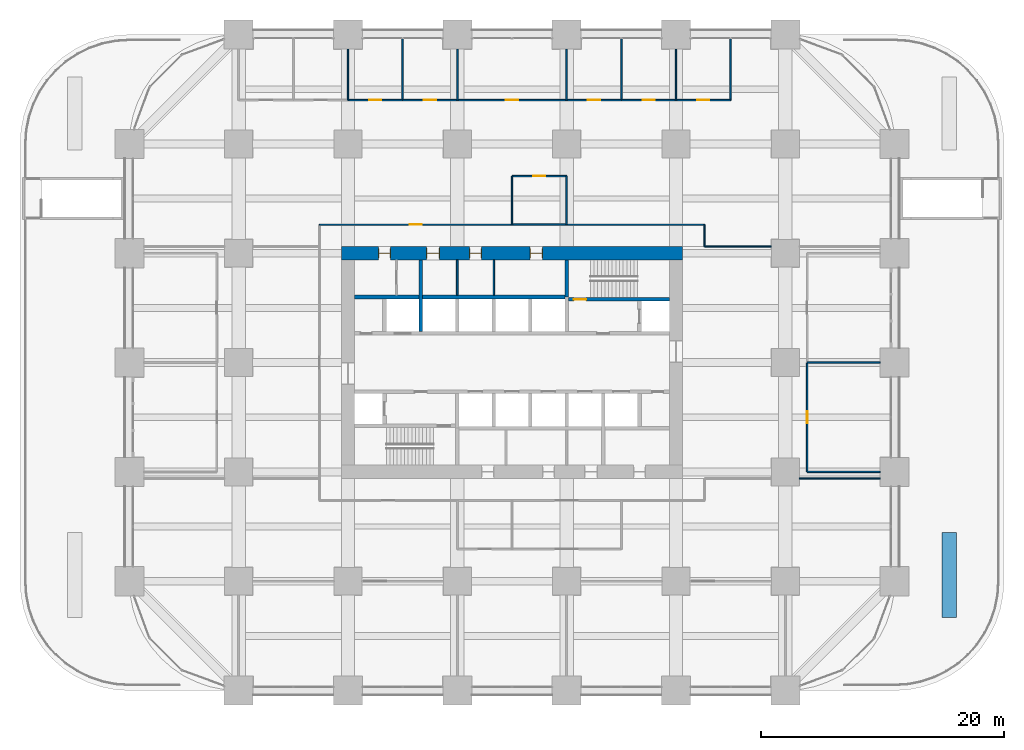
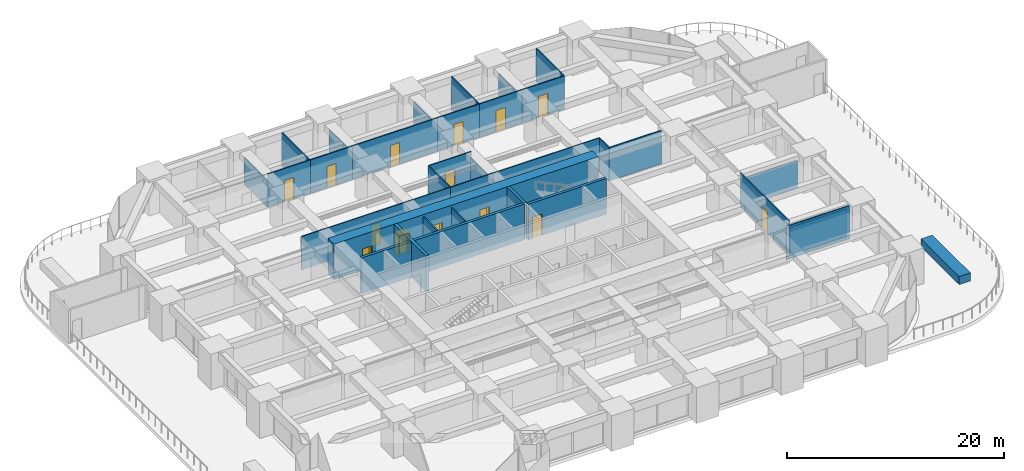
# One storey, part 34 of 38: 33 walls, 14 doors, 14 openings.
"""IFC4 building model written with IfcOpenShell, lengths in metres."""

from ifc_helpers import new_model, si_unit, direction, frame, frame_2d, origin, place, context, subcontext, project, spatial, rectangle, extrude, material, layer, layer_set, type_object, element, fill, save


model = new_model("IFC4")

# Units and contexts
model_context = context("Model", 3, precision=1e-05, world=origin(), true_north=direction((0.0, 1.0)))
body_context = subcontext(model_context, "Body", "Model", "MODEL_VIEW")
ifc_project = project(units=[si_unit("LENGTHUNIT", "METRE"), si_unit("AREAUNIT", "SQUARE_METRE"), si_unit("VOLUMEUNIT", "CUBIC_METRE"), si_unit("PLANEANGLEUNIT", "RADIAN"), si_unit("MASSUNIT", "GRAM", prefix="KILO")], contexts=[model_context])

# Site, building, storey
site_placement = place(None, origin())
site = spatial("IfcSite", under=ifc_project, at=site_placement, CompositionType="ELEMENT")
building_placement = place(site_placement, origin())
building = spatial("IfcBuilding", under=site, at=building_placement, Name="Zorevar Civic Tower", CompositionType="ELEMENT")
storey_placement = place(building_placement, frame((0.0, 0.0, 15.800048828125)))
storey = spatial("IfcBuildingStorey", under=building, at=storey_placement, Name="L03", CompositionType="ELEMENT", Elevation=15.800048828125)

# Wall, openings, doors
ifc_material_1 = material(Name="Concrete C50/60", Category="concrete")
ifc_layer_1 = layer(ifc_material_1, 1.10009765625)
ifc_layer_set_1 = layer_set([ifc_layer_1], Name="Core wall 1100")
wall_type_1 = type_object("IfcWallType", Name="Core wall 1100", PredefinedType="SHEAR", material=ifc_layer_set_1)
wall_1_placement = place(storey_placement, frame((45.550048828125, 36.0, 0.0), z_axis=(0.0, 0.0, 1.0), x_axis=(-1.0, 0.0, 0.0)))
wall_1 = element("IfcWall", 1, at=wall_1_placement, inside=storey, type_object=wall_type_1, Name="Core wall N L03", PredefinedType="SHEAR", context=body_context, shape_type="SweptSolid", body=[
    extrude(rectangle(XDim=28.10009765625, YDim=1.10009765625, at=frame_2d((14.050048828125, 0.0))), origin(), (0.0, 0.0, 1.0), 4.0),
])
opening_1_placement = place(wall_1_placement, frame((11.550048828125, 0.0, 0.0)))
opening_1 = element("IfcOpeningElement", 2, at=opening_1_placement, cuts=wall_1, Name="Opening L03.07", PredefinedType="OPENING", context=body_context, shape_type="SweptSolid", body=[
    extrude(rectangle(XDim=1.0, YDim=2.39990234375, at=frame_2d((0.5, 1.199951171875))), frame((0.0, 0.56005859375, 0.0), z_axis=(0.0, -1.0, 0.0), x_axis=(1.0, 0.0, 0.0)), (0.0, 0.0, 1.0), 1.1201171875),
])
opening_2_placement = place(wall_1_placement, frame((16.550048828125, 0.0, 0.0)))
opening_2 = element("IfcOpeningElement", 3, at=opening_2_placement, cuts=wall_1, Name="Opening L03.08", PredefinedType="OPENING", context=body_context, shape_type="SweptSolid", body=[
    extrude(rectangle(XDim=1.0, YDim=2.39990234375, at=frame_2d((0.5, 1.199951171875))), frame((0.0, 0.56005859375, 0.0), z_axis=(0.0, -1.0, 0.0), x_axis=(1.0, 0.0, 0.0)), (0.0, 0.0, 1.0), 1.1201171875),
])
opening_3_placement = place(wall_1_placement, frame((20.0, 0.0, 0.0)))
opening_3 = element("IfcOpeningElement", 4, at=opening_3_placement, cuts=wall_1, Name="Opening L03.09", PredefinedType="OPENING", context=body_context, shape_type="SweptSolid", body=[
    extrude(rectangle(XDim=1.10009765625, YDim=2.39990234375, at=frame_2d((0.550048828125, 1.199951171875))), frame((0.0, 0.56005859375, 0.0), z_axis=(0.0, -1.0, 0.0), x_axis=(1.0, 0.0, 0.0)), (0.0, 0.0, 1.0), 1.1201171875),
])
opening_4_placement = place(wall_1_placement, frame((24.050048828125, 0.0, 0.0)))
opening_4 = element("IfcOpeningElement", 5, at=opening_4_placement, cuts=wall_1, Name="Opening L03.10", PredefinedType="OPENING", context=body_context, shape_type="SweptSolid", body=[
    extrude(rectangle(XDim=1.0, YDim=2.39990234375, at=frame_2d((0.5, 1.199951171875))), frame((0.0, 0.56005859375, 0.0), z_axis=(0.0, -1.0, 0.0), x_axis=(1.0, 0.0, 0.0)), (0.0, 0.0, 1.0), 1.1201171875),
])
ifc_material_2 = material(Name="Timber door set", Category="wood")
door_type_1 = type_object("IfcDoorType", Name="Door D1 1000x2400", OperationType="SINGLE_SWING_LEFT", PredefinedType="DOOR", material=ifc_material_2)
door_1_placement = place(opening_1_placement, origin())
door_1 = element("IfcDoor", 6, at=door_1_placement, inside=storey, type_object=door_type_1, Name="Door L03 06", OperationType="SINGLE_SWING_RIGHT", OverallHeight=2.39990234375, OverallWidth=1.0, PredefinedType="DOOR", context=body_context, shape_type="SweptSolid", body=[
    extrude(rectangle(XDim=1.0, YDim=2.39990234375, at=frame_2d((0.5, 1.199951171875))), frame((0.0, 0.02490234375, 0.0), z_axis=(0.0, -1.0, 0.0), x_axis=(1.0, 0.0, 0.0)), (0.0, 0.0, 1.0), 0.050048828125),
    extrude(rectangle(XDim=0.04, YDim=2.39990234375, at=frame_2d((0.02001953125, 1.199951171875))), frame((0.0, 0.39990234375, 0.0), z_axis=(0.0, -1.0, 0.0), x_axis=(1.0, 0.0, 0.0)), (0.0, 0.0, 1.0), 0.800048828125),
    extrude(rectangle(XDim=0.04, YDim=2.39990234375, at=frame_2d((0.97998046875, 1.199951171875))), frame((0.0, 0.39990234375, 0.0), z_axis=(0.0, -1.0, 0.0), x_axis=(1.0, 0.0, 0.0)), (0.0, 0.0, 1.0), 0.800048828125),
    extrude(rectangle(XDim=1.0, YDim=0.04, at=frame_2d((0.5, 2.3798828125))), frame((0.0, 0.39990234375, 0.0), z_axis=(0.0, -1.0, 0.0), x_axis=(1.0, 0.0, 0.0)), (0.0, 0.0, 1.0), 0.800048828125),
])
fill(opening_1, door_1)
door_2_placement = place(opening_2_placement, origin())
door_2 = element("IfcDoor", 7, at=door_2_placement, inside=storey, type_object=door_type_1, Name="Door L03 07", OperationType="SINGLE_SWING_LEFT", OverallHeight=2.39990234375, OverallWidth=1.0, PredefinedType="DOOR", context=body_context, shape_type="SweptSolid", body=[
    extrude(rectangle(XDim=1.0, YDim=2.39990234375, at=frame_2d((0.5, 1.199951171875))), frame((0.0, 0.02490234375, 0.0), z_axis=(0.0, -1.0, 0.0), x_axis=(1.0, 0.0, 0.0)), (0.0, 0.0, 1.0), 0.050048828125),
    extrude(rectangle(XDim=0.04, YDim=2.39990234375, at=frame_2d((0.02001953125, 1.199951171875))), frame((0.0, 0.39990234375, 0.0), z_axis=(0.0, -1.0, 0.0), x_axis=(1.0, 0.0, 0.0)), (0.0, 0.0, 1.0), 0.800048828125),
    extrude(rectangle(XDim=0.04, YDim=2.39990234375, at=frame_2d((0.97998046875, 1.199951171875))), frame((0.0, 0.39990234375, 0.0), z_axis=(0.0, -1.0, 0.0), x_axis=(1.0, 0.0, 0.0)), (0.0, 0.0, 1.0), 0.800048828125),
    extrude(rectangle(XDim=1.0, YDim=0.04, at=frame_2d((0.5, 2.3798828125))), frame((0.0, 0.39990234375, 0.0), z_axis=(0.0, -1.0, 0.0), x_axis=(1.0, 0.0, 0.0)), (0.0, 0.0, 1.0), 0.800048828125),
])
fill(opening_2, door_2)
door_3_placement = place(opening_4_placement, origin())
door_3 = element("IfcDoor", 8, at=door_3_placement, inside=storey, type_object=door_type_1, Name="Door L03 09", OperationType="SINGLE_SWING_LEFT", OverallHeight=2.39990234375, OverallWidth=1.0, PredefinedType="DOOR", context=body_context, shape_type="SweptSolid", body=[
    extrude(rectangle(XDim=1.0, YDim=2.39990234375, at=frame_2d((0.5, 1.199951171875))), frame((0.0, 0.02490234375, 0.0), z_axis=(0.0, -1.0, 0.0), x_axis=(1.0, 0.0, 0.0)), (0.0, 0.0, 1.0), 0.050048828125),
    extrude(rectangle(XDim=0.04, YDim=2.39990234375, at=frame_2d((0.02001953125, 1.199951171875))), frame((0.0, 0.39990234375, 0.0), z_axis=(0.0, -1.0, 0.0), x_axis=(1.0, 0.0, 0.0)), (0.0, 0.0, 1.0), 0.800048828125),
    extrude(rectangle(XDim=0.04, YDim=2.39990234375, at=frame_2d((0.97998046875, 1.199951171875))), frame((0.0, 0.39990234375, 0.0), z_axis=(0.0, -1.0, 0.0), x_axis=(1.0, 0.0, 0.0)), (0.0, 0.0, 1.0), 0.800048828125),
    extrude(rectangle(XDim=1.0, YDim=0.04, at=frame_2d((0.5, 2.3798828125))), frame((0.0, 0.39990234375, 0.0), z_axis=(0.0, -1.0, 0.0), x_axis=(1.0, 0.0, 0.0)), (0.0, 0.0, 1.0), 0.800048828125),
])
fill(opening_4, door_3)
ifc_material_3 = material(Name="Timber door set", Category="wood")
door_type_2 = type_object("IfcDoorType", Name="Door D5 1100x2400", OperationType="SINGLE_SWING_LEFT", PredefinedType="DOOR", material=ifc_material_3)
door_4_placement = place(opening_3_placement, origin())
door_4 = element("IfcDoor", 9, at=door_4_placement, inside=storey, type_object=door_type_2, Name="Door L03 08", OperationType="SINGLE_SWING_LEFT", OverallHeight=2.39990234375, OverallWidth=1.10009765625, PredefinedType="DOOR", context=body_context, shape_type="SweptSolid", body=[
    extrude(rectangle(XDim=1.10009765625, YDim=2.39990234375, at=frame_2d((0.550048828125, 1.199951171875))), frame((0.0, 0.02490234375, 0.0), z_axis=(0.0, -1.0, 0.0), x_axis=(1.0, 0.0, 0.0)), (0.0, 0.0, 1.0), 0.050048828125),
    extrude(rectangle(XDim=0.04, YDim=2.39990234375, at=frame_2d((0.02001953125, 1.199951171875))), frame((0.0, 0.43994140625, 0.0), z_axis=(0.0, -1.0, 0.0), x_axis=(1.0, 0.0, 0.0)), (0.0, 0.0, 1.0), 0.880126953125),
    extrude(rectangle(XDim=0.04, YDim=2.39990234375, at=frame_2d((1.080078125, 1.199951171875))), frame((0.0, 0.43994140625, 0.0), z_axis=(0.0, -1.0, 0.0), x_axis=(1.0, 0.0, 0.0)), (0.0, 0.0, 1.0), 0.880126953125),
    extrude(rectangle(XDim=1.10009765625, YDim=0.04, at=frame_2d((0.550048828125, 2.3798828125))), frame((0.0, 0.43994140625, 0.0), z_axis=(0.0, -1.0, 0.0), x_axis=(1.0, 0.0, 0.0)), (0.0, 0.0, 1.0), 0.880126953125),
])
fill(opening_3, door_4)

# Walls
ifc_material_4 = material(Name="Laminated glass in black aluminium frame", Category="aluminium")
ifc_layer_2 = layer(ifc_material_4, 0.10009765625)
ifc_layer_set_2 = layer_set([ifc_layer_2], Name="Glazed partition 100")
wall_type_2 = type_object("IfcWallType", Name="Glazed partition 100", PredefinedType="PARTITIONING", material=ifc_layer_set_2)
wall_2_placement = place(storey_placement, frame((55.14990234375, 17.449951171875, 0.0), z_axis=(0.0, 0.0, 1.0), x_axis=(1.0, 0.0, 0.0)))
element("IfcWall", 10, at=wall_2_placement, inside=storey, type_object=wall_type_2, Name="Glazed partition 100 L03", PredefinedType="PARTITIONING", context=body_context, shape_type="SweptSolid", body=[
    extrude(rectangle(XDim=6.650146484375, YDim=0.10009765625, at=frame_2d((3.3251953125, 0.0))), origin(), (0.0, 0.0, 1.0), 3.75),
])
wall_3_placement = place(storey_placement, frame((47.35009765625, 36.550048828125, 0.0), z_axis=(0.0, 0.0, 1.0), x_axis=(1.0, 0.0, 0.0)))
element("IfcWall", 11, at=wall_3_placement, inside=storey, type_object=wall_type_2, Name="Glazed partition 100 L03", PredefinedType="PARTITIONING", context=body_context, shape_type="SweptSolid", body=[
    extrude(rectangle(XDim=5.5, YDim=0.10009765625, at=frame_2d((2.75, 0.0))), origin(), (0.0, 0.0, 1.0), 3.75),
])

# Wall, opening, door
wall_4_placement = place(storey_placement, frame((15.64990234375, 38.35009765625, 0.0), z_axis=(0.0, 0.0, 1.0), x_axis=(1.0, 0.0, 0.0)))
wall_4 = element("IfcWall", 12, at=wall_4_placement, inside=storey, type_object=wall_type_2, Name="Glazed partition 100 L03", PredefinedType="PARTITIONING", context=body_context, shape_type="SweptSolid", body=[
    extrude(rectangle(XDim=15.85009765625, YDim=0.10009765625, at=frame_2d((7.925048828125, 0.0))), origin(), (0.0, 0.0, 1.0), 3.75),
])
opening_5_placement = place(wall_4_placement, frame((7.425048828125, 0.0, 0.0)))
opening_5 = element("IfcOpeningElement", 13, at=opening_5_placement, cuts=wall_4, Name="Opening L03.23", PredefinedType="OPENING", context=body_context, shape_type="SweptSolid", body=[
    extrude(rectangle(XDim=1.0, YDim=2.39990234375, at=frame_2d((0.5, 1.199951171875))), frame((0.0, 0.06005859375, 0.0), z_axis=(0.0, -1.0, 0.0), x_axis=(1.0, 0.0, 0.0)), (0.0, 0.0, 1.0), 0.1201171875),
])
ifc_material_5 = material(Name="Timber door set", Category="wood")
door_type_3 = type_object("IfcDoorType", Name="Glazed door GD1 1000x2400", OperationType="SINGLE_SWING_LEFT", PredefinedType="DOOR", material=ifc_material_5)
door_5_placement = place(opening_5_placement, origin())
door_5 = element("IfcDoor", 14, at=door_5_placement, inside=storey, type_object=door_type_3, Name="Door L03 D1", OperationType="SINGLE_SWING_LEFT", OverallHeight=2.39990234375, OverallWidth=1.0, PredefinedType="DOOR", context=body_context, shape_type="SweptSolid", body=[
    extrude(rectangle(XDim=1.0, YDim=2.39990234375, at=frame_2d((0.5, 1.199951171875))), frame((0.0, 0.02001953125, 0.0), z_axis=(0.0, -1.0, 0.0), x_axis=(1.0, 0.0, 0.0)), (0.0, 0.0, 1.0), 0.0400390625),
])
fill(opening_5, door_5)

# Walls
wall_5_placement = place(storey_placement, frame((36.0, 38.35009765625, 0.0), z_axis=(0.0, 0.0, 1.0), x_axis=(1.0, 0.0, 0.0)))
element("IfcWall", 15, at=wall_5_placement, inside=storey, type_object=wall_type_2, Name="Glazed partition 100 L03", PredefinedType="PARTITIONING", context=body_context, shape_type="SweptSolid", body=[
    extrude(rectangle(XDim=11.35009765625, YDim=0.10009765625, at=frame_2d((5.675048828125, 0.0))), origin(), (0.0, 0.0, 1.0), 3.75),
])
wall_6_placement = place(storey_placement, frame((47.35009765625, 36.550048828125, 0.0), z_axis=(0.0, 0.0, 1.0), x_axis=(0.0, 1.0, 0.0)))
element("IfcWall", 16, at=wall_6_placement, inside=storey, type_object=wall_type_2, Name="Glazed partition 100 L03", PredefinedType="PARTITIONING", context=body_context, shape_type="SweptSolid", body=[
    extrude(rectangle(XDim=1.800048828125, YDim=0.10009765625, at=frame_2d((0.89990234375, 0.0))), origin(), (0.0, 0.0, 1.0), 3.75),
])

# Wall, opening, door
ifc_material_6 = material(Name="Concrete C40/50", Category="concrete")
ifc_layer_3 = layer(ifc_material_6, 0.300048828125)
ifc_layer_set_3 = layer_set([ifc_layer_3], Name="Inner core wall 300")
wall_type_3 = type_object("IfcWallType", Name="Inner core wall 300", PredefinedType="SHEAR", material=ifc_layer_set_3)
wall_7_placement = place(storey_placement, frame((36.14990234375, 32.199951171875, 0.0), z_axis=(0.0, 0.0, 1.0), x_axis=(1.0, 0.0, 0.0)))
wall_7 = element("IfcWall", 17, at=wall_7_placement, inside=storey, type_object=wall_type_3, Name="Inner core wall N00 L03", PredefinedType="SHEAR", context=body_context, shape_type="SweptSolid", body=[
    extrude(rectangle(XDim=8.300048828125, YDim=0.300048828125, at=frame_2d((4.14990234375, 0.0))), origin(), (0.0, 0.0, 1.0), 4.0),
])
opening_6_placement = place(wall_7_placement, frame((0.449951171875, 0.0, 0.0)))
opening_6 = element("IfcOpeningElement", 18, at=opening_6_placement, cuts=wall_7, Name="Opening L03.12", PredefinedType="OPENING", context=body_context, shape_type="SweptSolid", body=[
    extrude(rectangle(XDim=1.0, YDim=2.39990234375, at=frame_2d((0.5, 1.199951171875))), frame((0.0, 0.159912109375, 0.0), z_axis=(0.0, -1.0, 0.0), x_axis=(1.0, 0.0, 0.0)), (0.0, 0.0, 1.0), 0.320068359375),
])
ifc_material_7 = material(Name="Steel door set", Category="steel")
door_type_4 = type_object("IfcDoorType", Name="Fire door FD1 1000x2400", OperationType="SINGLE_SWING_LEFT", PredefinedType="DOOR", material=ifc_material_7)
door_6_placement = place(opening_6_placement, origin())
door_6 = element("IfcDoor", 19, at=door_6_placement, inside=storey, type_object=door_type_4, Name="Door L03 11", OperationType="SINGLE_SWING_RIGHT", OverallHeight=2.39990234375, OverallWidth=1.0, PredefinedType="DOOR", context=body_context, shape_type="SweptSolid", body=[
    extrude(rectangle(XDim=1.0, YDim=2.39990234375, at=frame_2d((0.5, 1.199951171875))), frame((0.0, 0.030029296875, 0.0), z_axis=(0.0, -1.0, 0.0), x_axis=(1.0, 0.0, 0.0)), (0.0, 0.0, 1.0), 0.06005859375),
])
fill(opening_6, door_6)

# Walls
wall_8_placement = place(storey_placement, frame((36.0, 32.39990234375, 0.0), z_axis=(0.0, 0.0, 1.0), x_axis=(0.0, 1.0, 0.0)))
element("IfcWall", 20, at=wall_8_placement, inside=storey, type_object=wall_type_3, Name="Inner core wall N01 L03", PredefinedType="SHEAR", context=body_context, shape_type="SweptSolid", body=[
    extrude(rectangle(XDim=3.050048828125, YDim=0.300048828125, at=frame_2d((1.52490234375, 0.0))), origin(), (0.0, 0.0, 1.0), 4.0),
])
wall_9_placement = place(storey_placement, frame((18.550048828125, 32.39990234375, 0.0), z_axis=(0.0, 0.0, 1.0), x_axis=(1.0, 0.0, 0.0)))
element("IfcWall", 21, at=wall_9_placement, inside=storey, type_object=wall_type_3, Name="Inner core wall N04 L03", PredefinedType="SHEAR", context=body_context, shape_type="SweptSolid", body=[
    extrude(rectangle(XDim=17.300048828125, YDim=0.300048828125, at=frame_2d((8.64990234375, 0.0))), origin(), (0.0, 0.0, 1.0), 4.0),
])
wall_10_placement = place(storey_placement, frame((24.0, 29.550048828125, 0.0), z_axis=(0.0, 0.0, 1.0), x_axis=(0.0, 1.0, 0.0)))
element("IfcWall", 22, at=wall_10_placement, inside=storey, type_object=wall_type_3, Name="Inner core wall N08 L03", PredefinedType="SHEAR", context=body_context, shape_type="SweptSolid", body=[
    extrude(rectangle(XDim=5.89990234375, YDim=0.300048828125, at=frame_2d((2.949951171875, 0.0))), origin(), (0.0, 0.0, 1.0), 4.0),
])
ifc_material_8 = material(Name="Gypsum board on steel studs", Category="steel")
ifc_layer_4 = layer(ifc_material_8, 0.1201171875)
ifc_layer_set_4 = layer_set([ifc_layer_4], Name="Partition 120")
wall_type_4 = type_object("IfcWallType", Name="Partition 120", PredefinedType="PARTITIONING", material=ifc_layer_set_4)
for number, where, z_axis, x_axis, name in (
    (23, (55.800048828125, 18.0, 0.0), (0.0, 0.0, 1.0), (1.0, 0.0, 0.0), "Partition 120 L03"),
    (24, (55.800048828125, 27.0, 0.0), (0.0, 0.0, 1.0), (1.0, 0.0, 0.0), "Partition 120 L03"),
):
    element("IfcWall", number, at=place(storey_placement, frame(where, z_axis=z_axis, x_axis=x_axis)), inside=storey, type_object=wall_type_4, Name=name, PredefinedType="PARTITIONING", context=body_context, shape_type="SweptSolid", body=[
        extrude(rectangle(XDim=6.0, YDim=0.1201171875, at=frame_2d((3.0, 0.0))), origin(), (0.0, 0.0, 1.0), 3.050048828125),
    ])
wall_11_placement = place(storey_placement, frame((31.5, 38.35009765625, 0.0), z_axis=(0.0, 0.0, 1.0), x_axis=(1.0, 0.0, 0.0)))
element("IfcWall", 25, at=wall_11_placement, inside=storey, type_object=wall_type_4, Name="Partition 120 L03", PredefinedType="PARTITIONING", context=body_context, shape_type="SweptSolid", body=[
    extrude(rectangle(XDim=4.5, YDim=0.1201171875, at=frame_2d((2.25, 0.0))), origin(), (0.0, 0.0, 1.0), 3.75),
])

# Wall, opening, door
wall_12_placement = place(storey_placement, frame((31.5, 42.35009765625, 0.0), z_axis=(0.0, 0.0, 1.0), x_axis=(1.0, 0.0, 0.0)))
wall_12 = element("IfcWall", 26, at=wall_12_placement, inside=storey, type_object=wall_type_4, Name="Partition 120 L03", PredefinedType="PARTITIONING", context=body_context, shape_type="SweptSolid", body=[
    extrude(rectangle(XDim=4.5, YDim=0.1201171875, at=frame_2d((2.25, 0.0))), origin(), (0.0, 0.0, 1.0), 3.75),
])
opening_7_placement = place(wall_12_placement, frame((1.75, 0.0, 0.0)))
opening_7 = element("IfcOpeningElement", 27, at=opening_7_placement, cuts=wall_12, Name="Opening L03.24", PredefinedType="OPENING", context=body_context, shape_type="SweptSolid", body=[
    extrude(rectangle(XDim=1.0, YDim=2.39990234375, at=frame_2d((0.5, 1.199951171875))), frame((0.0, 0.070068359375, 0.0), z_axis=(0.0, -1.0, 0.0), x_axis=(1.0, 0.0, 0.0)), (0.0, 0.0, 1.0), 0.14013671875),
])
door_7_placement = place(opening_7_placement, origin())
door_7 = element("IfcDoor", 28, at=door_7_placement, inside=storey, type_object=door_type_1, Name="Door L03 D1", OperationType="SINGLE_SWING_LEFT", OverallHeight=2.39990234375, OverallWidth=1.0, PredefinedType="DOOR", context=body_context, shape_type="SweptSolid", body=[
    extrude(rectangle(XDim=1.0, YDim=2.39990234375, at=frame_2d((0.5, 1.199951171875))), frame((0.0, 0.02490234375, 0.0), z_axis=(0.0, -1.0, 0.0), x_axis=(1.0, 0.0, 0.0)), (0.0, 0.0, 1.0), 0.050048828125),
])
fill(opening_7, door_7)

wall_13_placement = place(storey_placement, frame((18.0, 48.60009765625, 0.0), z_axis=(0.0, 0.0, 1.0), x_axis=(1.0, 0.0, 0.0)))
wall_13 = element("IfcWall", 29, at=wall_13_placement, inside=storey, type_object=wall_type_4, Name="Partition 120 L03", PredefinedType="PARTITIONING", context=body_context, shape_type="SweptSolid", body=[
    extrude(rectangle(XDim=4.5, YDim=0.1201171875, at=frame_2d((2.25, 0.0))), origin(), (0.0, 0.0, 1.0), 3.75),
])
opening_8_placement = place(wall_13_placement, frame((1.75, 0.0, 0.0)))
opening_8 = element("IfcOpeningElement", 30, at=opening_8_placement, cuts=wall_13, Name="Opening L03.27", PredefinedType="OPENING", context=body_context, shape_type="SweptSolid", body=[
    extrude(rectangle(XDim=1.0, YDim=2.39990234375, at=frame_2d((0.5, 1.199951171875))), frame((0.0, 0.070068359375, 0.0), z_axis=(0.0, -1.0, 0.0), x_axis=(1.0, 0.0, 0.0)), (0.0, 0.0, 1.0), 0.14013671875),
])
door_8_placement = place(opening_8_placement, origin())
door_8 = element("IfcDoor", 31, at=door_8_placement, inside=storey, type_object=door_type_1, Name="Door L03 D1", OperationType="SINGLE_SWING_LEFT", OverallHeight=2.39990234375, OverallWidth=1.0, PredefinedType="DOOR", context=body_context, shape_type="SweptSolid", body=[
    extrude(rectangle(XDim=1.0, YDim=2.39990234375, at=frame_2d((0.5, 1.199951171875))), frame((0.0, 0.02490234375, 0.0), z_axis=(0.0, -1.0, 0.0), x_axis=(1.0, 0.0, 0.0)), (0.0, 0.0, 1.0), 0.050048828125),
])
fill(opening_8, door_8)

wall_14_placement = place(storey_placement, frame((22.5, 48.60009765625, 0.0), z_axis=(0.0, 0.0, 1.0), x_axis=(1.0, 0.0, 0.0)))
wall_14 = element("IfcWall", 32, at=wall_14_placement, inside=storey, type_object=wall_type_4, Name="Partition 120 L03", PredefinedType="PARTITIONING", context=body_context, shape_type="SweptSolid", body=[
    extrude(rectangle(XDim=4.5, YDim=0.1201171875, at=frame_2d((2.25, 0.0))), origin(), (0.0, 0.0, 1.0), 3.75),
])
opening_9_placement = place(wall_14_placement, frame((1.75, 0.0, 0.0)))
opening_9 = element("IfcOpeningElement", 33, at=opening_9_placement, cuts=wall_14, Name="Opening L03.28", PredefinedType="OPENING", context=body_context, shape_type="SweptSolid", body=[
    extrude(rectangle(XDim=1.0, YDim=2.39990234375, at=frame_2d((0.5, 1.199951171875))), frame((0.0, 0.070068359375, 0.0), z_axis=(0.0, -1.0, 0.0), x_axis=(1.0, 0.0, 0.0)), (0.0, 0.0, 1.0), 0.14013671875),
])
door_9_placement = place(opening_9_placement, origin())
door_9 = element("IfcDoor", 34, at=door_9_placement, inside=storey, type_object=door_type_1, Name="Door L03 D1", OperationType="SINGLE_SWING_LEFT", OverallHeight=2.39990234375, OverallWidth=1.0, PredefinedType="DOOR", context=body_context, shape_type="SweptSolid", body=[
    extrude(rectangle(XDim=1.0, YDim=2.39990234375, at=frame_2d((0.5, 1.199951171875))), frame((0.0, 0.02490234375, 0.0), z_axis=(0.0, -1.0, 0.0), x_axis=(1.0, 0.0, 0.0)), (0.0, 0.0, 1.0), 0.050048828125),
])
fill(opening_9, door_9)

wall_15_placement = place(storey_placement, frame((27.0, 48.60009765625, 0.0), z_axis=(0.0, 0.0, 1.0), x_axis=(1.0, 0.0, 0.0)))
wall_15 = element("IfcWall", 35, at=wall_15_placement, inside=storey, type_object=wall_type_4, Name="Partition 120 L03", PredefinedType="PARTITIONING", context=body_context, shape_type="SweptSolid", body=[
    extrude(rectangle(XDim=9.0, YDim=0.1201171875, at=frame_2d((4.5, 0.0))), origin(), (0.0, 0.0, 1.0), 3.75),
])
opening_10_placement = place(wall_15_placement, frame((4.0, 0.0, 0.0)))
opening_10 = element("IfcOpeningElement", 36, at=opening_10_placement, cuts=wall_15, Name="Opening L03.29", PredefinedType="OPENING", context=body_context, shape_type="SweptSolid", body=[
    extrude(rectangle(XDim=1.0, YDim=2.39990234375, at=frame_2d((0.5, 1.199951171875))), frame((0.0, 0.070068359375, 0.0), z_axis=(0.0, -1.0, 0.0), x_axis=(1.0, 0.0, 0.0)), (0.0, 0.0, 1.0), 0.14013671875),
])
door_10_placement = place(opening_10_placement, origin())
door_10 = element("IfcDoor", 37, at=door_10_placement, inside=storey, type_object=door_type_1, Name="Door L03 D1", OperationType="SINGLE_SWING_RIGHT", OverallHeight=2.39990234375, OverallWidth=1.0, PredefinedType="DOOR", context=body_context, shape_type="SweptSolid", body=[
    extrude(rectangle(XDim=1.0, YDim=2.39990234375, at=frame_2d((0.5, 1.199951171875))), frame((0.0, 0.02490234375, 0.0), z_axis=(0.0, -1.0, 0.0), x_axis=(1.0, 0.0, 0.0)), (0.0, 0.0, 1.0), 0.050048828125),
])
fill(opening_10, door_10)

wall_16_placement = place(storey_placement, frame((36.0, 48.60009765625, 0.0), z_axis=(0.0, 0.0, 1.0), x_axis=(1.0, 0.0, 0.0)))
wall_16 = element("IfcWall", 38, at=wall_16_placement, inside=storey, type_object=wall_type_4, Name="Partition 120 L03", PredefinedType="PARTITIONING", context=body_context, shape_type="SweptSolid", body=[
    extrude(rectangle(XDim=4.5, YDim=0.1201171875, at=frame_2d((2.25, 0.0))), origin(), (0.0, 0.0, 1.0), 3.75),
])
opening_11_placement = place(wall_16_placement, frame((1.75, 0.0, 0.0)))
opening_11 = element("IfcOpeningElement", 39, at=opening_11_placement, cuts=wall_16, Name="Opening L03.30", PredefinedType="OPENING", context=body_context, shape_type="SweptSolid", body=[
    extrude(rectangle(XDim=1.0, YDim=2.39990234375, at=frame_2d((0.5, 1.199951171875))), frame((0.0, 0.070068359375, 0.0), z_axis=(0.0, -1.0, 0.0), x_axis=(1.0, 0.0, 0.0)), (0.0, 0.0, 1.0), 0.14013671875),
])
door_11_placement = place(opening_11_placement, origin())
door_11 = element("IfcDoor", 40, at=door_11_placement, inside=storey, type_object=door_type_1, Name="Door L03 D1", OperationType="SINGLE_SWING_RIGHT", OverallHeight=2.39990234375, OverallWidth=1.0, PredefinedType="DOOR", context=body_context, shape_type="SweptSolid", body=[
    extrude(rectangle(XDim=1.0, YDim=2.39990234375, at=frame_2d((0.5, 1.199951171875))), frame((0.0, 0.02490234375, 0.0), z_axis=(0.0, -1.0, 0.0), x_axis=(1.0, 0.0, 0.0)), (0.0, 0.0, 1.0), 0.050048828125),
])
fill(opening_11, door_11)

wall_17_placement = place(storey_placement, frame((40.5, 48.60009765625, 0.0), z_axis=(0.0, 0.0, 1.0), x_axis=(1.0, 0.0, 0.0)))
wall_17 = element("IfcWall", 41, at=wall_17_placement, inside=storey, type_object=wall_type_4, Name="Partition 120 L03", PredefinedType="PARTITIONING", context=body_context, shape_type="SweptSolid", body=[
    extrude(rectangle(XDim=4.5, YDim=0.1201171875, at=frame_2d((2.25, 0.0))), origin(), (0.0, 0.0, 1.0), 3.75),
])
opening_12_placement = place(wall_17_placement, frame((1.75, 0.0, 0.0)))
opening_12 = element("IfcOpeningElement", 42, at=opening_12_placement, cuts=wall_17, Name="Opening L03.31", PredefinedType="OPENING", context=body_context, shape_type="SweptSolid", body=[
    extrude(rectangle(XDim=1.0, YDim=2.39990234375, at=frame_2d((0.5, 1.199951171875))), frame((0.0, 0.070068359375, 0.0), z_axis=(0.0, -1.0, 0.0), x_axis=(1.0, 0.0, 0.0)), (0.0, 0.0, 1.0), 0.14013671875),
])
door_12_placement = place(opening_12_placement, origin())
door_12 = element("IfcDoor", 43, at=door_12_placement, inside=storey, type_object=door_type_1, Name="Door L03 D1", OperationType="SINGLE_SWING_RIGHT", OverallHeight=2.39990234375, OverallWidth=1.0, PredefinedType="DOOR", context=body_context, shape_type="SweptSolid", body=[
    extrude(rectangle(XDim=1.0, YDim=2.39990234375, at=frame_2d((0.5, 1.199951171875))), frame((0.0, 0.02490234375, 0.0), z_axis=(0.0, -1.0, 0.0), x_axis=(1.0, 0.0, 0.0)), (0.0, 0.0, 1.0), 0.050048828125),
])
fill(opening_12, door_12)

wall_18_placement = place(storey_placement, frame((45.0, 48.60009765625, 0.0), z_axis=(0.0, 0.0, 1.0), x_axis=(1.0, 0.0, 0.0)))
wall_18 = element("IfcWall", 44, at=wall_18_placement, inside=storey, type_object=wall_type_4, Name="Partition 120 L03", PredefinedType="PARTITIONING", context=body_context, shape_type="SweptSolid", body=[
    extrude(rectangle(XDim=4.5, YDim=0.1201171875, at=frame_2d((2.25, 0.0))), origin(), (0.0, 0.0, 1.0), 3.75),
])
opening_13_placement = place(wall_18_placement, frame((1.75, 0.0, 0.0)))
opening_13 = element("IfcOpeningElement", 45, at=opening_13_placement, cuts=wall_18, Name="Opening L03.32", PredefinedType="OPENING", context=body_context, shape_type="SweptSolid", body=[
    extrude(rectangle(XDim=1.0, YDim=2.39990234375, at=frame_2d((0.5, 1.199951171875))), frame((0.0, 0.070068359375, 0.0), z_axis=(0.0, -1.0, 0.0), x_axis=(1.0, 0.0, 0.0)), (0.0, 0.0, 1.0), 0.14013671875),
])
door_13_placement = place(opening_13_placement, origin())
door_13 = element("IfcDoor", 46, at=door_13_placement, inside=storey, type_object=door_type_1, Name="Door L03 D1", OperationType="SINGLE_SWING_RIGHT", OverallHeight=2.39990234375, OverallWidth=1.0, PredefinedType="DOOR", context=body_context, shape_type="SweptSolid", body=[
    extrude(rectangle(XDim=1.0, YDim=2.39990234375, at=frame_2d((0.5, 1.199951171875))), frame((0.0, 0.02490234375, 0.0), z_axis=(0.0, -1.0, 0.0), x_axis=(1.0, 0.0, 0.0)), (0.0, 0.0, 1.0), 0.050048828125),
])
fill(opening_13, door_13)

# Walls
wall_19_placement = place(storey_placement, frame((18.0, 48.60009765625, 0.0), z_axis=(0.0, 0.0, 1.0), x_axis=(0.0, 1.0, 0.0)))
element("IfcWall", 47, at=wall_19_placement, inside=storey, type_object=wall_type_4, Name="Partition 120 L03", PredefinedType="PARTITIONING", context=body_context, shape_type="SweptSolid", body=[
    extrude(rectangle(XDim=4.199951171875, YDim=0.1201171875, at=frame_2d((2.10009765625, 0.0))), origin(), (0.0, 0.0, 1.0), 3.050048828125),
])
wall_20_placement = place(storey_placement, frame((22.5, 48.60009765625, 0.0), z_axis=(0.0, 0.0, 1.0), x_axis=(0.0, 1.0, 0.0)))
element("IfcWall", 48, at=wall_20_placement, inside=storey, type_object=wall_type_4, Name="Partition 120 L03", PredefinedType="PARTITIONING", context=body_context, shape_type="SweptSolid", body=[
    extrude(rectangle(XDim=5.08984375, YDim=0.1201171875, at=frame_2d((2.544921875, 0.0))), origin(), (0.0, 0.0, 1.0), 3.75),
])
wall_21_placement = place(storey_placement, frame((27.0, 48.60009765625, 0.0), z_axis=(0.0, 0.0, 1.0), x_axis=(0.0, 1.0, 0.0)))
element("IfcWall", 49, at=wall_21_placement, inside=storey, type_object=wall_type_4, Name="Partition 120 L03", PredefinedType="PARTITIONING", context=body_context, shape_type="SweptSolid", body=[
    extrude(rectangle(XDim=4.199951171875, YDim=0.1201171875, at=frame_2d((2.10009765625, 0.0))), origin(), (0.0, 0.0, 1.0), 3.050048828125),
])
wall_22_placement = place(storey_placement, frame((31.5, 38.35009765625, 0.0), z_axis=(0.0, 0.0, 1.0), x_axis=(0.0, 1.0, 0.0)))
element("IfcWall", 50, at=wall_22_placement, inside=storey, type_object=wall_type_4, Name="Partition 120 L03", PredefinedType="PARTITIONING", context=body_context, shape_type="SweptSolid", body=[
    extrude(rectangle(XDim=4.0, YDim=0.1201171875, at=frame_2d((2.0, 0.0))), origin(), (0.0, 0.0, 1.0), 3.75),
])
wall_23_placement = place(storey_placement, frame((36.0, 48.60009765625, 0.0), z_axis=(0.0, 0.0, 1.0), x_axis=(0.0, 1.0, 0.0)))
element("IfcWall", 51, at=wall_23_placement, inside=storey, type_object=wall_type_4, Name="Partition 120 L03", PredefinedType="PARTITIONING", context=body_context, shape_type="SweptSolid", body=[
    extrude(rectangle(XDim=4.199951171875, YDim=0.1201171875, at=frame_2d((2.10009765625, 0.0))), origin(), (0.0, 0.0, 1.0), 3.050048828125),
])
wall_24_placement = place(storey_placement, frame((36.0, 38.35009765625, 0.0), z_axis=(0.0, 0.0, 1.0), x_axis=(0.0, 1.0, 0.0)))
element("IfcWall", 52, at=wall_24_placement, inside=storey, type_object=wall_type_4, Name="Partition 120 L03", PredefinedType="PARTITIONING", context=body_context, shape_type="SweptSolid", body=[
    extrude(rectangle(XDim=4.0, YDim=0.1201171875, at=frame_2d((2.0, 0.0))), origin(), (0.0, 0.0, 1.0), 3.050048828125),
])
wall_25_placement = place(storey_placement, frame((40.5, 48.60009765625, 0.0), z_axis=(0.0, 0.0, 1.0), x_axis=(0.0, 1.0, 0.0)))
element("IfcWall", 53, at=wall_25_placement, inside=storey, type_object=wall_type_4, Name="Partition 120 L03", PredefinedType="PARTITIONING", context=body_context, shape_type="SweptSolid", body=[
    extrude(rectangle(XDim=5.08984375, YDim=0.1201171875, at=frame_2d((2.544921875, 0.0))), origin(), (0.0, 0.0, 1.0), 3.75),
])
wall_26_placement = place(storey_placement, frame((45.0, 48.60009765625, 0.0), z_axis=(0.0, 0.0, 1.0), x_axis=(0.0, 1.0, 0.0)))
element("IfcWall", 54, at=wall_26_placement, inside=storey, type_object=wall_type_4, Name="Partition 120 L03", PredefinedType="PARTITIONING", context=body_context, shape_type="SweptSolid", body=[
    extrude(rectangle(XDim=4.199951171875, YDim=0.1201171875, at=frame_2d((2.10009765625, 0.0))), origin(), (0.0, 0.0, 1.0), 3.050048828125),
])
wall_27_placement = place(storey_placement, frame((49.5, 48.60009765625, 0.0), z_axis=(0.0, 0.0, 1.0), x_axis=(0.0, 1.0, 0.0)))
element("IfcWall", 55, at=wall_27_placement, inside=storey, type_object=wall_type_4, Name="Partition 120 L03", PredefinedType="PARTITIONING", context=body_context, shape_type="SweptSolid", body=[
    extrude(rectangle(XDim=5.08984375, YDim=0.1201171875, at=frame_2d((2.544921875, 0.0))), origin(), (0.0, 0.0, 1.0), 3.75),
])

# Wall, opening, door
wall_28_placement = place(storey_placement, frame((55.800048828125, 18.0, 0.0), z_axis=(0.0, 0.0, 1.0), x_axis=(0.0, 1.0, 0.0)))
wall_28 = element("IfcWall", 56, at=wall_28_placement, inside=storey, type_object=wall_type_4, Name="Partition 120 L03", PredefinedType="PARTITIONING", context=body_context, shape_type="SweptSolid", body=[
    extrude(rectangle(XDim=9.0, YDim=0.1201171875, at=frame_2d((4.5, 0.0))), origin(), (0.0, 0.0, 1.0), 3.75),
])
opening_14_placement = place(wall_28_placement, frame((4.0, 0.0, 0.0)))
opening_14 = element("IfcOpeningElement", 57, at=opening_14_placement, cuts=wall_28, Name="Opening L03.36", PredefinedType="OPENING", context=body_context, shape_type="SweptSolid", body=[
    extrude(rectangle(XDim=1.0, YDim=2.39990234375, at=frame_2d((0.5, 1.199951171875))), frame((0.0, 0.070068359375, 0.0), z_axis=(0.0, -1.0, 0.0), x_axis=(1.0, 0.0, 0.0)), (0.0, 0.0, 1.0), 0.14013671875),
])
door_14_placement = place(opening_14_placement, origin())
door_14 = element("IfcDoor", 58, at=door_14_placement, inside=storey, type_object=door_type_1, Name="Door L03 D1", OperationType="SINGLE_SWING_RIGHT", OverallHeight=2.39990234375, OverallWidth=1.0, PredefinedType="DOOR", context=body_context, shape_type="SweptSolid", body=[
    extrude(rectangle(XDim=1.0, YDim=2.39990234375, at=frame_2d((0.5, 1.199951171875))), frame((0.0, 0.02490234375, 0.0), z_axis=(0.0, -1.0, 0.0), x_axis=(1.0, 0.0, 0.0)), (0.0, 0.0, 1.0), 0.050048828125),
])
fill(opening_14, door_14)

# Walls
wall_29_placement = place(storey_placement, frame((30.0, 32.550048828125, 0.0), z_axis=(0.0, 0.0, 1.0), x_axis=(0.0, 1.0, 0.0)))
element("IfcWall", 59, at=wall_29_placement, inside=storey, type_object=wall_type_4, Name="Partition L03", PredefinedType="PARTITIONING", context=body_context, shape_type="SweptSolid", body=[
    extrude(rectangle(XDim=2.89990234375, YDim=0.1201171875, at=frame_2d((1.449951171875, 0.0))), origin(), (0.0, 0.0, 1.0), 3.75),
])
ifc_material_9 = material(Name="Precast concrete planter", Category="concrete")
ifc_layer_5 = layer(ifc_material_9, 1.199951171875)
ifc_layer_set_5 = layer_set([ifc_layer_5], Name="Planter PL1 1200")
wall_type_5 = type_object("IfcWallType", Name="Planter PL1 1200", PredefinedType="USERDEFINED", material=ifc_layer_set_5)
wall_30_placement = place(storey_placement, frame((67.5, 6.0, 0.0), z_axis=(0.0, 0.0, 1.0), x_axis=(0.0, 1.0, 0.0)))
element("IfcWall", 60, at=wall_30_placement, inside=storey, type_object=wall_type_5, Name="Planter L03", ObjectType="PLANTER", PredefinedType="USERDEFINED", context=body_context, shape_type="SweptSolid", body=[
    extrude(rectangle(XDim=7.0, YDim=1.199951171875, at=frame_2d((3.5, 0.0))), origin(), (0.0, 0.0, 1.0), 0.89990234375),
])
ifc_material_10 = material(Name="Gypsum board on steel studs, moisture resistant", Category="steel")
ifc_layer_6 = layer(ifc_material_10, 0.14990234375)
ifc_layer_set_6 = layer_set([ifc_layer_6], Name="WC partition 150")
wall_type_6 = type_object("IfcWallType", Name="WC partition 150", PredefinedType="PARTITIONING", material=ifc_layer_set_6)
wall_31_placement = place(storey_placement, frame((27.0, 32.550048828125, 0.0), z_axis=(0.0, 0.0, 1.0), x_axis=(0.0, 1.0, 0.0)))
element("IfcWall", 61, at=wall_31_placement, inside=storey, type_object=wall_type_6, Name="WC partition L03", PredefinedType="PARTITIONING", context=body_context, shape_type="SweptSolid", body=[
    extrude(rectangle(XDim=2.89990234375, YDim=0.14990234375, at=frame_2d((1.449951171875, 0.0))), origin(), (0.0, 0.0, 1.0), 3.75),
])

save(model, "model.ifc")
